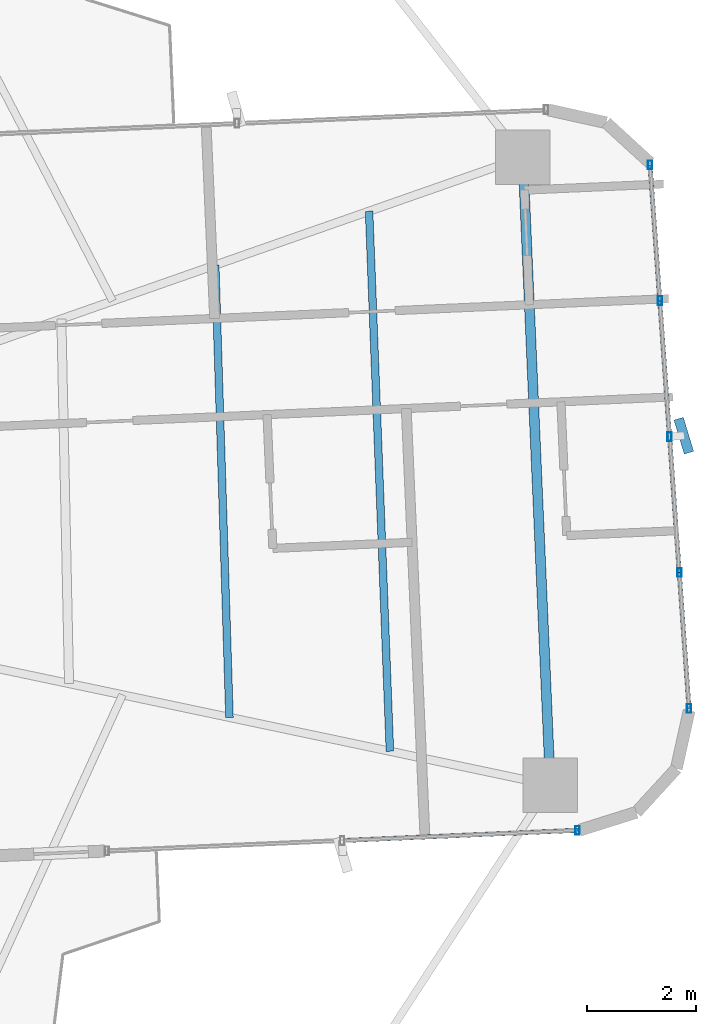
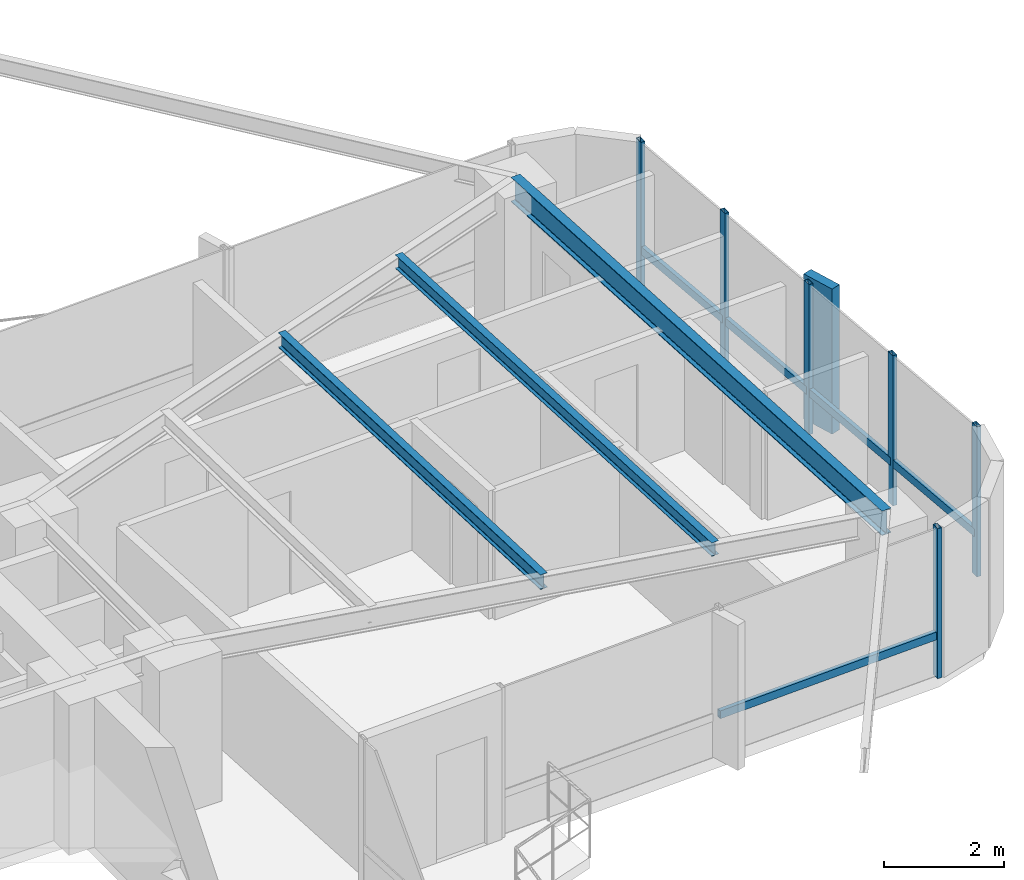
# One storey, part 15 of 27: 12 members, 3 beams, 2 elements without a shape of their own.
"""IFC4 building model written with IfcOpenShell, lengths in metres."""

from ifc_helpers import new_model, si_unit, direction, frame, origin, origin_2d, place, context, subcontext, project, spatial, rectangle, hollow_rectangle, i_section, extrude, source, transform, mapped, material, material_profile, profile_set, type_object, element, aggregate, save


model = new_model("IFC4")

# Units and contexts
model_context = context("Model", 3, precision=1e-05, world=origin(), true_north=direction((0.0, 1.0)))
body_context = subcontext(model_context, "Body", "Model", "MODEL_VIEW")
ifc_project = project(units=[si_unit("LENGTHUNIT", "METRE"), si_unit("AREAUNIT", "SQUARE_METRE"), si_unit("VOLUMEUNIT", "CUBIC_METRE"), si_unit("PLANEANGLEUNIT", "RADIAN"), si_unit("MASSUNIT", "GRAM", prefix="KILO")], contexts=[model_context])

# Site, building, storey
site_placement = place(None, origin())
site = spatial("IfcSite", under=ifc_project, at=site_placement, CompositionType="ELEMENT")
building_placement = place(site_placement, origin())
building = spatial("IfcBuilding", under=site, at=building_placement, Name="Sahyath Konkavel Grand Hotel", CompositionType="ELEMENT")
storey_placement = place(building_placement, frame((0.0, 0.0, 103.60009765625)))
storey = spatial("IfcBuildingStorey", under=building, at=storey_placement, Name="L28", CompositionType="ELEMENT", Elevation=103.60009765625)

# Beams
ifc_material_1 = material(Name="Steel E350", Category="steel")
ifc_material_profile_1 = material_profile(ifc_material_1, i_section(OverallWidth=0.179931640625, OverallDepth=0.5, WebThickness=0.01025390625, FlangeThickness=0.01708984375, FilletRadius=0.01708984375, at=origin_2d()), Name="ISMB 500")
ifc_profile_set_1 = profile_set([ifc_material_profile_1], Name="Steel E350")
beam_type_1 = type_object("IfcBeamType", Name="BM-ISMB500", PredefinedType="BEAM", material=ifc_profile_set_1)
shared_shape_1 = source(origin(), body_context, "Body", "SweptSolid", [
    extrude(i_section(OverallWidth=0.179931640625, OverallDepth=0.5, WebThickness=0.01025390625, FlangeThickness=0.01708984375, FilletRadius=0.01708984375, at=origin_2d()), origin(), (0.0, 0.0, 1.0), 11.5),
])
beam_1_placement = place(storey_placement, frame((17.734130859375, -4.981201171875, 2.7998046875), z_axis=(-0.043627008892, 0.99904788879, 0.0), x_axis=(-0.99904788879, -0.043627008892, 0.0)))
element("IfcBeam", 1, at=beam_1_placement, inside=storey, type_object=beam_type_1, Name="L28 Wing Tip Edge Beam E", PredefinedType="BEAM", context=body_context, shape_type="MappedRepresentation", body=[
    mapped(shared_shape_1, transform((0.0, 0.0, 0.0), scale=1.0)),
])
ifc_material_profile_2 = material_profile(ifc_material_1, i_section(OverallWidth=0.139892578125, OverallDepth=0.300048828125, WebThickness=0.0078125, FlangeThickness=0.01318359375, FilletRadius=0.013916015625, at=origin_2d()), Name="ISMB 300")
ifc_profile_set_2 = profile_set([ifc_material_profile_2], Name="Steel E350")
beam_type_2 = type_object("IfcBeamType", Name="BM-ISMB300", PredefinedType="BEAM", material=ifc_profile_set_2)
shared_shape_2 = source(origin(), body_context, "Body", "SweptSolid", [
    extrude(i_section(OverallWidth=0.139892578125, OverallDepth=0.300048828125, WebThickness=0.0078125, FlangeThickness=0.01318359375, FilletRadius=0.013916015625, at=origin_2d()), origin(), (0.0, 0.0, 1.0), 8.282470703125),
])
beam_2_placement = place(storey_placement, frame((11.86181640625, -3.7421875, 2.89990234375), z_axis=(-0.031510827707, 0.999503410568, 0.0), x_axis=(-0.999503410568, -0.031510827707, 0.0)))
element("IfcBeam", 2, at=beam_2_placement, inside=storey, type_object=beam_type_2, Name="L28 Secondary Floor Beam E-2", PredefinedType="BEAM", context=body_context, shape_type="MappedRepresentation", body=[
    mapped(shared_shape_2, transform((0.0, 0.0, 0.0), scale=1.0)),
])
ifc_material_profile_3 = material_profile(ifc_material_1, i_section(OverallWidth=0.139892578125, OverallDepth=0.27490234375, WebThickness=0.00634765625, FlangeThickness=0.0087890625, FilletRadius=0.012939453125, at=origin_2d()), Name="ISLB 275")
ifc_profile_set_3 = profile_set([ifc_material_profile_3], Name="Steel E350")
beam_type_3 = type_object("IfcBeamType", Name="BM-ISLB275", PredefinedType="BEAM", material=ifc_profile_set_3)
shared_shape_3 = source(origin(), body_context, "Body", "SweptSolid", [
    extrude(i_section(OverallWidth=0.139892578125, OverallDepth=0.27490234375, WebThickness=0.00634765625, FlangeThickness=0.0087890625, FilletRadius=0.012939453125, at=origin_2d()), origin(), (0.0, 0.0, 1.0), 9.89111328125),
])
beam_3_placement = place(storey_placement, frame((14.798095703125, -4.36181640625, 2.912353515625), z_axis=(-0.03855445741, 0.999256500511, 0.0), x_axis=(-0.999256500511, -0.03855445741, 0.0)))
element("IfcBeam", 3, at=beam_3_placement, inside=storey, type_object=beam_type_3, Name="L28 Secondary Floor Beam E-3", PredefinedType="BEAM", context=body_context, shape_type="MappedRepresentation", body=[
    mapped(shared_shape_3, transform((0.0, 0.0, 0.0), scale=1.0)),
])

# Curtain wall, member
ifc_material_2 = material(Name="Anodised Bronze Aluminium & Low-E Glazing", Category="aluminium")
curtain_wall_type = type_object("IfcCurtainWallType", Name="CW-ZONE2", PredefinedType="NOTDEFINED", material=ifc_material_2)
curtain_wall_1_placement = place(storey_placement, origin())
curtain_wall_1 = element("IfcCurtainWall", 4, at=curtain_wall_1_placement, inside=storey, type_object=curtain_wall_type, Name="L28 Unitised Curtain Wall F0", PredefinedType="NOTDEFINED")
ifc_material_3 = material(Name="Anodised Bronze Aluminium", Category="aluminium")
ifc_material_profile_4 = material_profile(ifc_material_3, hollow_rectangle(XDim=0.080078125, YDim=0.159912109375, WallThickness=0.006103515625, at=origin_2d()), Name="RHS 160x80x6")
ifc_profile_set_4 = profile_set([ifc_material_profile_4], Name="Anodised Bronze Aluminium")
member_type_1 = type_object("IfcMemberType", Name="CW-TRN-160", PredefinedType="USERDEFINED", material=ifc_profile_set_4)
shared_shape_4 = source(origin(), body_context, "Body", "SweptSolid", [
    extrude(hollow_rectangle(XDim=0.080078125, YDim=0.159912109375, WallThickness=0.006103515625, at=origin_2d()), origin(), (0.0, 0.0, 1.0), 4.31005859375),
])
member_1_placement = place(storey_placement, frame((13.9248046875, -5.998291015625, 0.849853515625), z_axis=(0.999048340188, 0.043616670746, 0.0), x_axis=(-0.043616670746, 0.999048340188, 0.0)))
member_1 = element("IfcMember", 5, at=member_1_placement, type_object=member_type_1, Name="L28 Curtain Wall Transom F0-1-spandrel", ObjectType="TRANSOM", PredefinedType="USERDEFINED", context=body_context, shape_type="MappedRepresentation", body=[
    mapped(shared_shape_4, transform((0.0, 0.0, 0.0), scale=1.0)),
])

# Curtain wall, members
curtain_wall_2_placement = place(storey_placement, origin())
curtain_wall_2 = element("IfcCurtainWall", 6, at=curtain_wall_2_placement, inside=storey, type_object=curtain_wall_type, Name="L28 Unitised Curtain Wall F4", PredefinedType="NOTDEFINED")
shared_shape_5 = source(origin(), body_context, "Body", "SweptSolid", [
    extrude(hollow_rectangle(XDim=0.080078125, YDim=0.159912109375, WallThickness=0.006103515625, at=origin_2d()), origin(), (0.0, 0.0, 1.0), 2.493408203125),
])
member_2_placement = place(storey_placement, frame((20.2744140625, -3.5791015625, 0.849853515625), z_axis=(-0.071574084062, 0.997435286367, 0.0), x_axis=(-0.997435286367, -0.071574084062, 0.0)))
member_2 = element("IfcMember", 7, at=member_2_placement, type_object=member_type_1, Name="L28 Curtain Wall Transom F4-0-spandrel", ObjectType="TRANSOM", PredefinedType="USERDEFINED", context=body_context, shape_type="MappedRepresentation", body=[
    mapped(shared_shape_5, transform((0.0, 0.0, 0.0), scale=1.0)),
])
member_3_placement = place(storey_placement, frame((20.095947265625, -1.092041015625, 0.849853515625), z_axis=(-0.071574084062, 0.997435286367, 0.0), x_axis=(-0.997435286367, -0.071574084062, 0.0)))
member_3 = element("IfcMember", 8, at=member_3_placement, type_object=member_type_1, Name="L28 Curtain Wall Transom F4-1-spandrel", ObjectType="TRANSOM", PredefinedType="USERDEFINED", context=body_context, shape_type="MappedRepresentation", body=[
    mapped(shared_shape_5, transform((0.0, 0.0, 0.0), scale=1.0)),
])
member_4_placement = place(storey_placement, frame((19.91748046875, 1.39501953125, 0.849853515625), z_axis=(-0.071574084062, 0.997435286367, 0.0), x_axis=(-0.997435286367, -0.071574084062, 0.0)))
member_4 = element("IfcMember", 9, at=member_4_placement, type_object=member_type_1, Name="L28 Curtain Wall Transom F4-2-spandrel", ObjectType="TRANSOM", PredefinedType="USERDEFINED", context=body_context, shape_type="MappedRepresentation", body=[
    mapped(shared_shape_5, transform((0.0, 0.0, 0.0), scale=1.0)),
])
shared_shape_6 = source(origin(), body_context, "Body", "SweptSolid", [
    extrude(hollow_rectangle(XDim=0.080078125, YDim=0.159912109375, WallThickness=0.006103515625, at=origin_2d()), origin(), (0.0, 0.0, 1.0), 2.49365234375),
])
member_5_placement = place(storey_placement, frame((19.739013671875, 3.882080078125, 0.849853515625), z_axis=(-0.071567094714, 0.997435787885, 0.0), x_axis=(-0.997435787885, -0.071567094714, 0.0)))
member_5 = element("IfcMember", 10, at=member_5_placement, type_object=member_type_1, Name="L28 Curtain Wall Transom F4-3-spandrel", ObjectType="TRANSOM", PredefinedType="USERDEFINED", context=body_context, shape_type="MappedRepresentation", body=[
    mapped(shared_shape_6, transform((0.0, 0.0, 0.0), scale=1.0)),
])

# Member
ifc_material_profile_5 = material_profile(ifc_material_3, hollow_rectangle(XDim=0.080078125, YDim=0.159912109375, WallThickness=0.006103515625, at=origin_2d()), Name="RHS 160x80x6")
ifc_profile_set_5 = profile_set([ifc_material_profile_5], Name="Anodised Bronze Aluminium")
member_type_2 = type_object("IfcMemberType", Name="CW-MUL-160", PredefinedType="MULLION", material=ifc_profile_set_5)
shared_shape_7 = source(origin(), body_context, "Body", "SweptSolid", [
    extrude(hollow_rectangle(XDim=0.080078125, YDim=0.159912109375, WallThickness=0.006103515625, at=origin_2d()), origin(), (0.0, 0.0, 1.0), 3.0498046875),
])
member_6_placement = place(storey_placement, frame((18.230712890625, -5.810302734375, 0.0), z_axis=(0.0, 0.0, 1.0), x_axis=(1.0, 0.0, 0.0)))
member_6 = element("IfcMember", 11, at=member_6_placement, type_object=member_type_2, Name="L28 Curtain Wall Mullion F0-2", PredefinedType="MULLION", context=body_context, shape_type="MappedRepresentation", body=[
    mapped(shared_shape_7, transform((0.0, 0.0, 0.0), scale=1.0)),
])

aggregate(curtain_wall_1, [member_6, member_1])

member_7_placement = place(storey_placement, frame((20.2744140625, -3.5791015625, 0.0), z_axis=(0.0, 0.0, 1.0), x_axis=(1.0, 0.0, 0.0)))
member_7 = element("IfcMember", 12, at=member_7_placement, type_object=member_type_2, Name="L28 Curtain Wall Mullion F4-0", PredefinedType="MULLION", context=body_context, shape_type="MappedRepresentation", body=[
    mapped(shared_shape_7, transform((0.0, 0.0, 0.0), scale=1.0)),
])

member_8_placement = place(storey_placement, frame((20.095947265625, -1.092041015625, 0.0), z_axis=(0.0, 0.0, 1.0), x_axis=(1.0, 0.0, 0.0)))
member_8 = element("IfcMember", 13, at=member_8_placement, type_object=member_type_2, Name="L28 Curtain Wall Mullion F4-1", PredefinedType="MULLION", context=body_context, shape_type="MappedRepresentation", body=[
    mapped(shared_shape_7, transform((0.0, 0.0, 0.0), scale=1.0)),
])

member_9_placement = place(storey_placement, frame((19.91748046875, 1.39501953125, 0.0), z_axis=(0.0, 0.0, 1.0), x_axis=(1.0, 0.0, 0.0)))
member_9 = element("IfcMember", 14, at=member_9_placement, type_object=member_type_2, Name="L28 Curtain Wall Mullion F4-2", PredefinedType="MULLION", context=body_context, shape_type="MappedRepresentation", body=[
    mapped(shared_shape_7, transform((0.0, 0.0, 0.0), scale=1.0)),
])

member_10_placement = place(storey_placement, frame((19.739013671875, 3.882080078125, 0.0), z_axis=(0.0, 0.0, 1.0), x_axis=(1.0, 0.0, 0.0)))
member_10 = element("IfcMember", 15, at=member_10_placement, type_object=member_type_2, Name="L28 Curtain Wall Mullion F4-3", PredefinedType="MULLION", context=body_context, shape_type="MappedRepresentation", body=[
    mapped(shared_shape_7, transform((0.0, 0.0, 0.0), scale=1.0)),
])

member_11_placement = place(storey_placement, frame((19.560546875, 6.369384765625, 0.0), z_axis=(0.0, 0.0, 1.0), x_axis=(1.0, 0.0, 0.0)))
member_11 = element("IfcMember", 16, at=member_11_placement, type_object=member_type_2, Name="L28 Curtain Wall Mullion F4-4", PredefinedType="MULLION", context=body_context, shape_type="MappedRepresentation", body=[
    mapped(shared_shape_7, transform((0.0, 0.0, 0.0), scale=1.0)),
])

ifc_material_4 = material(Name="Warm Buff Sandstone Cladding on Concrete C50/60", Category="masonry")
ifc_material_profile_6 = material_profile(ifc_material_4, rectangle(XDim=0.179931640625, YDim=0.64990234375, at=origin_2d()), Name="FIN 180x650")
ifc_profile_set_6 = profile_set([ifc_material_profile_6], Name="Warm Buff Sandstone Cladding on Concrete C50/60")
member_type_3 = type_object("IfcMemberType", Name="FIN-SANDSTONE-650", PredefinedType="MULLION", material=ifc_profile_set_6)
shared_shape_8 = source(origin(), body_context, "Body", "SweptSolid", [
    extrude(rectangle(XDim=0.179931640625, YDim=0.64990234375, at=origin_2d()), origin(), (0.0, 0.0, 1.0), 2.9501953125),
])
member_12_placement = place(storey_placement, frame((20.1767578125, 1.413818359375, 0.0498046875), z_axis=(0.0, 0.0, 1.0), x_axis=(0.957117481996, 0.289700061544, 0.0)))
member_12 = element("IfcMember", 17, at=member_12_placement, type_object=member_type_3, Name="L28 Sandstone Vertical Solar Fin FIN F4-2", PredefinedType="MULLION", context=body_context, shape_type="MappedRepresentation", body=[
    mapped(shared_shape_8, transform((0.0, 0.0, 0.0), scale=1.0)),
])

aggregate(curtain_wall_2, [member_7, member_8, member_9, member_12, member_10, member_11, member_2, member_3, member_4, member_5])

save(model, "model.ifc")
